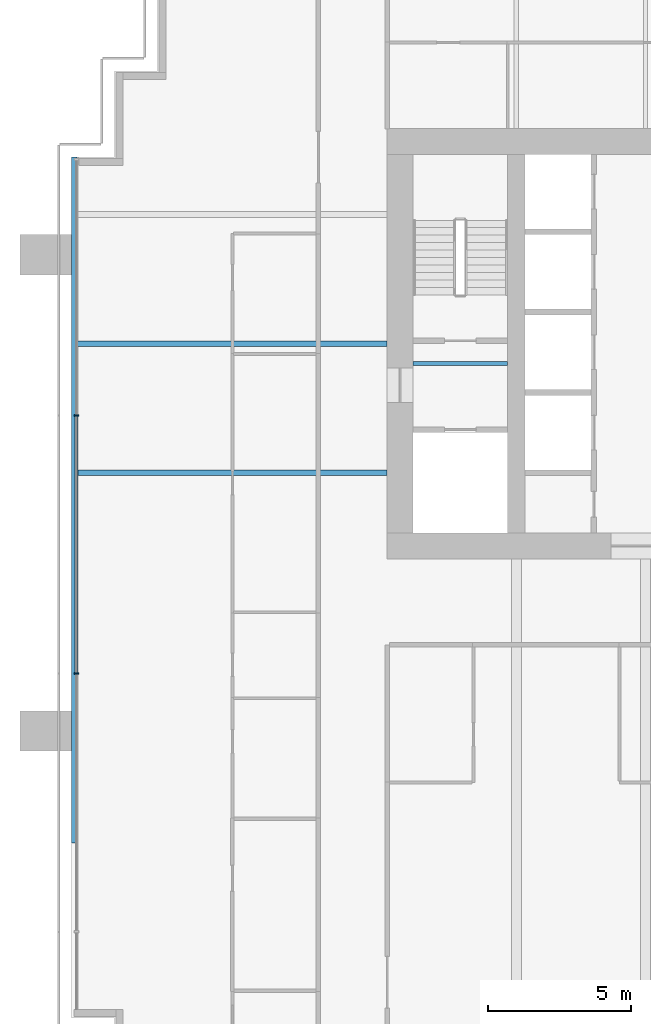
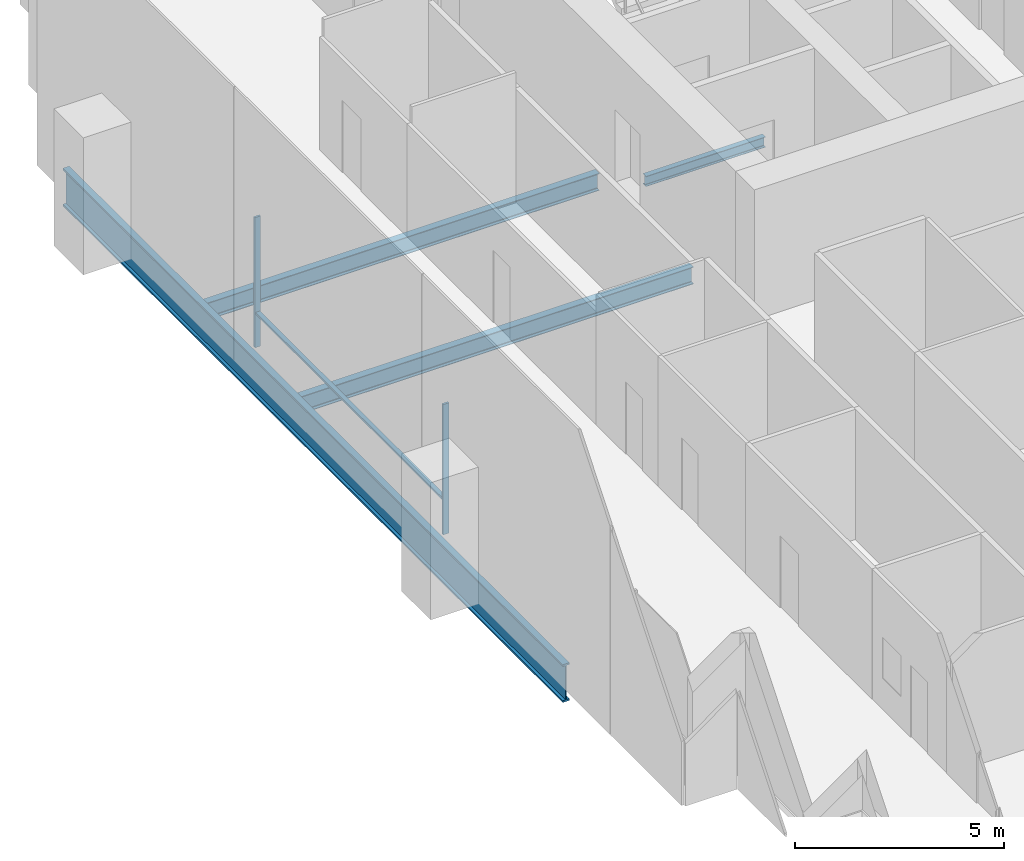
# One storey, part 4 of 17: 4 beams, 3 members, 1 element without a shape of its own.
"""IFC4 building model written with IfcOpenShell, lengths in metres."""

from ifc_helpers import new_model, si_unit, direction, frame, origin, origin_2d, place, context, subcontext, project, spatial, rectangle, i_section, extrude, material, material_profile, profile_set, type_object, element, aggregate, save


model = new_model("IFC4")

# Units and contexts
model_context = context("Model", 3, precision=1e-05, world=origin(), true_north=direction((0.0, 1.0)))
body_context = subcontext(model_context, "Body", "Model", "MODEL_VIEW")
ifc_project = project(units=[si_unit("LENGTHUNIT", "METRE"), si_unit("AREAUNIT", "SQUARE_METRE"), si_unit("VOLUMEUNIT", "CUBIC_METRE"), si_unit("PLANEANGLEUNIT", "RADIAN"), si_unit("MASSUNIT", "GRAM", prefix="KILO")], contexts=[model_context])

# Site, building, storey
site_placement = place(None, origin())
site = spatial("IfcSite", under=ifc_project, at=site_placement, CompositionType="ELEMENT")
building_placement = place(site_placement, origin())
building = spatial("IfcBuilding", under=site, at=building_placement, Name="Rattan Terrace Tower", CompositionType="ELEMENT")
storey_placement = place(building_placement, frame((0.0, 0.0, 138.10009765625)))
storey = spatial("IfcBuildingStorey", under=building, at=storey_placement, Name="L31", CompositionType="ELEMENT", Elevation=138.10009765625)

# Curtain wall, members
ifc_material_1 = material(Name="Aluminium and glass", Category="aluminium")
curtain_wall_type = type_object("IfcCurtainWallType", Name="Facade Unitised Curtain Wall", PredefinedType="NOTDEFINED", material=ifc_material_1)
curtain_wall_placement = place(storey_placement, origin())
curtain_wall = element("IfcCurtainWall", 1, at=curtain_wall_placement, inside=storey, type_object=curtain_wall_type, Name="Curtain wall L31-3", PredefinedType="NOTDEFINED")
ifc_material_2 = material(Name="Aluminium", Category="aluminium")
ifc_material_profile_1 = material_profile(ifc_material_2, rectangle(XDim=0.06005859375, YDim=0.159912109375, at=origin_2d()), Name="Aluminium 60x160")
ifc_profile_set_1 = profile_set([ifc_material_profile_1], Name="Aluminium")
member_type_1 = type_object("IfcMemberType", Name="Facade CW Mullion 60x160", PredefinedType="MULLION", material=ifc_profile_set_1)
member_1_placement = place(storey_placement, frame((-28.830078125, -2.5, 0.0), z_axis=(0.0, 0.0, 1.0), x_axis=(0.0, -1.0, 0.0)))
member_1 = element("IfcMember", 2, at=member_1_placement, type_object=member_type_1, Name="Mullion cwl-L31-003.2", PredefinedType="MULLION", context=body_context, shape_type="SweptSolid", body=[
    extrude(rectangle(XDim=0.06005859375, YDim=0.159912109375, at=origin_2d()), origin(), (0.0, 0.0, 1.0), 3.7998046875),
])
member_2_placement = place(storey_placement, frame((-28.830078125, -11.5, 0.0), z_axis=(0.0, 0.0, 1.0), x_axis=(0.0, -1.0, 0.0)))
member_2 = element("IfcMember", 3, at=member_2_placement, type_object=member_type_1, Name="Mullion cwl-L31-003.3", PredefinedType="MULLION", context=body_context, shape_type="SweptSolid", body=[
    extrude(rectangle(XDim=0.06005859375, YDim=0.159912109375, at=origin_2d()), origin(), (0.0, 0.0, 1.0), 3.7998046875),
])
ifc_material_3 = material(Name="Aluminium", Category="aluminium")
ifc_material_profile_2 = material_profile(ifc_material_3, rectangle(XDim=0.1201171875, YDim=0.06005859375, at=origin_2d()), Name="Aluminium 120x60")
ifc_profile_set_2 = profile_set([ifc_material_profile_2], Name="Aluminium")
member_type_2 = type_object("IfcMemberType", Name="Facade CW Transom 120x60", PredefinedType="USERDEFINED", material=ifc_profile_set_2)
member_3_placement = place(storey_placement, frame((-28.830078125, -2.530029296875, 1.0), z_axis=(0.0, -1.0, 0.0), x_axis=(1.0, 0.0, 0.0)))
member_3 = element("IfcMember", 4, at=member_3_placement, type_object=member_type_2, Name="Transom cwl-L31-003.2", ObjectType="TRANSOM", PredefinedType="USERDEFINED", context=body_context, shape_type="SweptSolid", body=[
    extrude(rectangle(XDim=0.1201171875, YDim=0.06005859375, at=origin_2d()), origin(), (0.0, 0.0, 1.0), 8.93994140625),
])
aggregate(curtain_wall, [member_1, member_2, member_3])

# Beams
ifc_material_4 = material(Name="Steel S460", Category="steel")
ifc_material_profile_3 = material_profile(ifc_material_4, i_section(OverallWidth=0.179931640625, OverallDepth=1.10009765625, WebThickness=0.01611328125, FlangeThickness=0.050048828125, at=origin_2d()), Name="PG 1100x180-16-50")
ifc_profile_set_3 = profile_set([ifc_material_profile_3], Name="Steel S460")
beam_type_1 = type_object("IfcBeamType", Name="Frame edge girder PG 1100x180-16-50", PredefinedType="SPANDREL", material=ifc_profile_set_3)
beam_1_placement = place(storey_placement, frame((-28.909912109375, -17.39990234375, -0.75), z_axis=(0.0, 1.0, 0.0), x_axis=(-1.0, 0.0, 0.0)))
element("IfcBeam", 5, at=beam_1_placement, inside=storey, type_object=beam_type_1, Name="gdr-L31-003", PredefinedType="SPANDREL", context=body_context, shape_type="SweptSolid", body=[
    extrude(i_section(OverallWidth=0.179931640625, OverallDepth=1.10009765625, WebThickness=0.01611328125, FlangeThickness=0.050048828125, at=origin_2d()), origin(), (0.0, 0.0, 1.0), 23.89990234375),
])
ifc_material_5 = material(Name="Steel S355", Category="steel")
ifc_material_profile_4 = material_profile(ifc_material_5, i_section(OverallWidth=0.14990234375, OverallDepth=0.300048828125, WebThickness=0.007080078125, FlangeThickness=0.0107421875, FilletRadius=0.014892578125, at=origin_2d()), Name="IPE 300")
ifc_profile_set_4 = profile_set([ifc_material_profile_4], Name="Steel S355")
beam_type_2 = type_object("IfcBeamType", Name="Frame floor beam IPE 300", PredefinedType="JOIST", material=ifc_profile_set_4)
beam_2_placement = place(storey_placement, frame((-17.10009765625, -0.695068359375, -0.35009765625), z_axis=(1.0, 0.0, 0.0), x_axis=(0.0, 1.0, 0.0)))
element("IfcBeam", 6, at=beam_2_placement, inside=storey, type_object=beam_type_2, Name="bm-L31-001", PredefinedType="JOIST", context=body_context, shape_type="SweptSolid", body=[
    extrude(i_section(OverallWidth=0.14990234375, OverallDepth=0.300048828125, WebThickness=0.007080078125, FlangeThickness=0.0107421875, FilletRadius=0.014892578125, at=origin_2d()), origin(), (0.0, 0.0, 1.0), 3.300048828125),
])
ifc_material_6 = material(Name="Steel S355", Category="steel")
ifc_material_profile_5 = material_profile(ifc_material_6, i_section(OverallWidth=0.199951171875, OverallDepth=0.5, WebThickness=0.01025390625, FlangeThickness=0.01611328125, FilletRadius=0.02099609375, at=origin_2d()), Name="IPE 500")
ifc_profile_set_5 = profile_set([ifc_material_profile_5], Name="Steel S355")
beam_type_3 = type_object("IfcBeamType", Name="Frame floor beam IPE 500", PredefinedType="JOIST", material=ifc_profile_set_5)
for number, where, z_axis, x_axis, name in (
    (7, (-28.820068359375, -4.5, -0.4501953125), (1.0, 0.0, 0.0), (0.0, 1.0, 0.0), "bm-L31-010"),
    (8, (-28.820068359375, 0.0, -0.4501953125), (1.0, 0.0, 0.0), (0.0, 1.0, 0.0), "bm-L31-012"),
):
    element("IfcBeam", number, at=place(storey_placement, frame(where, z_axis=z_axis, x_axis=x_axis)), inside=storey, type_object=beam_type_3, Name=name, PredefinedType="JOIST", context=body_context, shape_type="SweptSolid", body=[
        extrude(i_section(OverallWidth=0.199951171875, OverallDepth=0.5, WebThickness=0.01025390625, FlangeThickness=0.01611328125, FilletRadius=0.02099609375, at=origin_2d()), origin(), (0.0, 0.0, 1.0), 10.820068359375),
    ])

save(model, "model.ifc")
